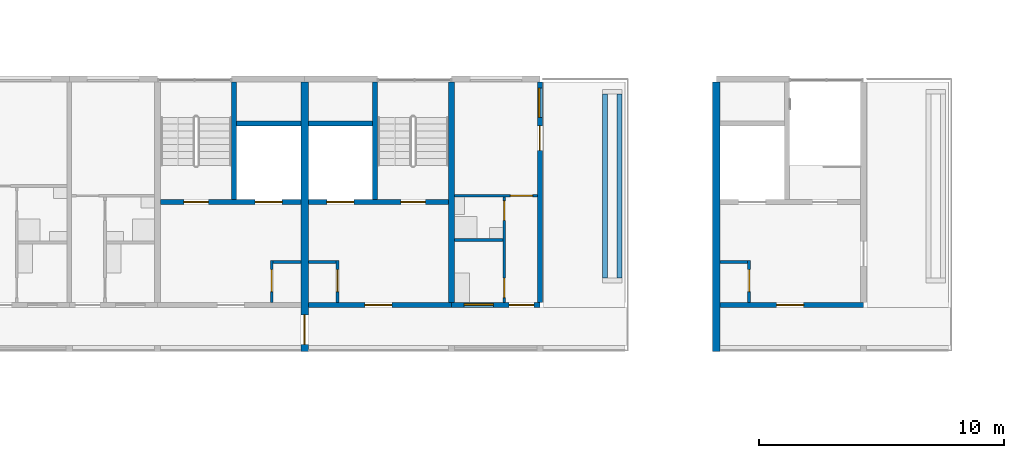
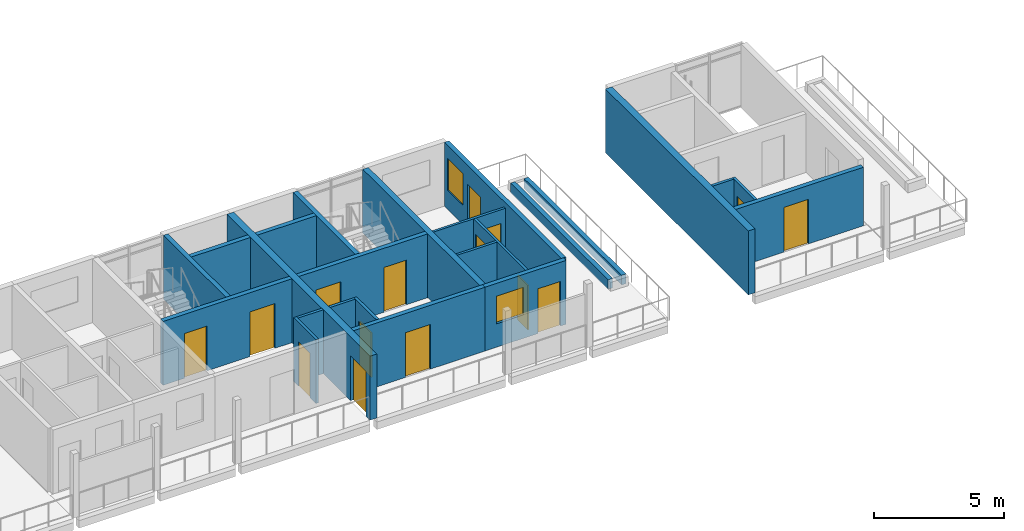
# One storey, part 43 of 94: 24 walls, 15 doors, 2 windows, 17 openings.
"""IFC4 building model written with IfcOpenShell, lengths in metres."""

from ifc_helpers import new_model, si_unit, direction, frame, frame_2d, origin, place, context, subcontext, project, spatial, rectangle, extrude, material, layer, layer_set, type_object, element, fill, save


model = new_model("IFC4")

# Units and contexts
model_context = context("Model", 3, precision=1e-05, world=origin(), true_north=direction((0.0, 1.0)))
body_context = subcontext(model_context, "Body", "Model", "MODEL_VIEW")
ifc_project = project(units=[si_unit("LENGTHUNIT", "METRE"), si_unit("AREAUNIT", "SQUARE_METRE"), si_unit("VOLUMEUNIT", "CUBIC_METRE"), si_unit("PLANEANGLEUNIT", "RADIAN"), si_unit("MASSUNIT", "GRAM", prefix="KILO")], contexts=[model_context])

# Site, building, storey
site_placement = place(None, origin())
site = spatial("IfcSite", under=ifc_project, at=site_placement, CompositionType="ELEMENT")
building_placement = place(site_placement, origin())
building = spatial("IfcBuilding", under=site, at=building_placement, Name="Ridgestep Commons", CompositionType="ELEMENT")
storey_placement = place(building_placement, frame((0.0, 0.0, 24.0)))
storey = spatial("IfcBuildingStorey", under=building, at=storey_placement, Name="L08", CompositionType="ELEMENT", Elevation=24.0)

# Wall
ifc_material_1 = material(Name="Concrete C30/37", Category="concrete")
ifc_layer_1 = layer(ifc_material_1, 0.25)
ifc_layer_set_1 = layer_set([ifc_layer_1], Name="Core cross wall 250")
wall_type_1 = type_object("IfcWallType", Name="Core cross wall 250", PredefinedType="SHEAR", material=ifc_layer_set_1)
wall_1_placement = place(storey_placement, frame((85.199951171875, 68.0, 0.0), z_axis=(0.0, 0.0, 1.0), x_axis=(0.0, 1.0, 0.0)))
element("IfcWall", 1, at=wall_1_placement, inside=storey, type_object=wall_type_1, Name="Cross wall B-08-0852", PredefinedType="SHEAR", context=body_context, shape_type="SweptSolid", body=[
    extrude(rectangle(XDim=9.0, YDim=0.25, at=frame_2d((4.5, 0.0))), origin(), (0.0, 0.0, 1.0), 3.0),
])

# Wall, opening, door
ifc_material_2 = material(Name="Concrete C30/37", Category="concrete")
ifc_layer_2 = layer(ifc_material_2, 0.199951171875)
ifc_layer_set_2 = layer_set([ifc_layer_2], Name="Core south wall 200")
wall_type_2 = type_object("IfcWallType", Name="Core south wall 200", PredefinedType="SHEAR", material=ifc_layer_set_2)
wall_2_placement = place(storey_placement, frame((79.35009765625, 67.89990234375, 0.0), z_axis=(0.0, 0.0, 1.0), x_axis=(1.0, 0.0, 0.0)))
wall_2 = element("IfcWall", 2, at=wall_2_placement, inside=storey, type_object=wall_type_2, Name="Core south wall B5C L08", PredefinedType="SHEAR", context=body_context, shape_type="SweptSolid", body=[
    extrude(rectangle(XDim=5.849853515625, YDim=0.199951171875, at=frame_2d((2.9248046875, 0.0))), origin(), (0.0, 0.0, 1.0), 3.0),
])
opening_1_placement = place(wall_2_placement, frame((2.3125, 0.0, 0.0)))
opening_1 = element("IfcOpeningElement", 3, at=opening_1_placement, cuts=wall_2, Name="Opening B5C/08/1", PredefinedType="OPENING", context=body_context, shape_type="SweptSolid", body=[
    extrude(rectangle(XDim=1.10009765625, YDim=2.10009765625, at=frame_2d((0.550048828125, 1.050048828125))), frame((0.0, 0.10986328125, 0.0), z_axis=(0.0, -1.0, 0.0), x_axis=(1.0, 0.0, 0.0)), (0.0, 0.0, 1.0), 0.219970703125),
])
ifc_material_3 = material(Name="Steel fire door", Category="steel")
door_type_1 = type_object("IfcDoorType", Name="Lobby door 1100 x 2100 FD60", OperationType="NOTDEFINED", PredefinedType="DOOR", material=ifc_material_3)
door_1_placement = place(opening_1_placement, origin())
door_1 = element("IfcDoor", 4, at=door_1_placement, inside=storey, type_object=door_type_1, Name="Lobby door B5C/08/1", OperationType="SINGLE_SWING_LEFT", OverallHeight=2.10009765625, OverallWidth=1.10009765625, PredefinedType="DOOR", context=body_context, shape_type="SweptSolid", body=[
    extrude(rectangle(XDim=1.10009765625, YDim=2.10009765625, at=frame_2d((0.550048828125, 1.050048828125))), frame((0.0, 0.02490234375, 0.0), z_axis=(0.0, -1.0, 0.0), x_axis=(1.0, 0.0, 0.0)), (0.0, 0.0, 1.0), 0.050048828125),
])
fill(opening_1, door_1)

wall_3_placement = place(storey_placement, frame((96.14990234375, 67.89990234375, 0.0), z_axis=(0.0, 0.0, 1.0), x_axis=(1.0, 0.0, 0.0)))
wall_3 = element("IfcWall", 5, at=wall_3_placement, inside=storey, type_object=wall_type_2, Name="Core south wall B6C L08", PredefinedType="SHEAR", context=body_context, shape_type="SweptSolid", body=[
    extrude(rectangle(XDim=5.85009765625, YDim=0.199951171875, at=frame_2d((2.925048828125, 0.0))), origin(), (0.0, 0.0, 1.0), 2.75),
])
opening_2_placement = place(wall_3_placement, frame((2.3125, 0.0, 0.0)))
opening_2 = element("IfcOpeningElement", 6, at=opening_2_placement, cuts=wall_3, Name="Opening B6C/08/1", PredefinedType="OPENING", context=body_context, shape_type="SweptSolid", body=[
    extrude(rectangle(XDim=1.10009765625, YDim=2.10009765625, at=frame_2d((0.550048828125, 1.050048828125))), frame((0.0, 0.10986328125, 0.0), z_axis=(0.0, -1.0, 0.0), x_axis=(1.0, 0.0, 0.0)), (0.0, 0.0, 1.0), 0.219970703125),
])
door_2_placement = place(opening_2_placement, origin())
door_2 = element("IfcDoor", 7, at=door_2_placement, inside=storey, type_object=door_type_1, Name="Lobby door B6C/08/1", OperationType="SINGLE_SWING_LEFT", OverallHeight=2.10009765625, OverallWidth=1.10009765625, PredefinedType="DOOR", context=body_context, shape_type="SweptSolid", body=[
    extrude(rectangle(XDim=1.10009765625, YDim=2.10009765625, at=frame_2d((0.550048828125, 1.050048828125))), frame((0.0, 0.02490234375, 0.0), z_axis=(0.0, -1.0, 0.0), x_axis=(1.0, 0.0, 0.0)), (0.0, 0.0, 1.0), 0.050048828125),
])
fill(opening_2, door_2)

ifc_material_4 = material(Name="Concrete C30/37", Category="concrete")
ifc_layer_3 = layer(ifc_material_4, 0.1201171875)
ifc_layer_set_3 = layer_set([ifc_layer_3], Name="Core wall 120")
wall_type_3 = type_object("IfcWallType", Name="Core wall 120", PredefinedType="SHEAR", material=ifc_layer_set_3)
wall_4_placement = place(storey_placement, frame((77.860107421875, 68.0, 0.0), z_axis=(0.0, 0.0, 1.0), x_axis=(0.0, 1.0, 0.0)))
wall_4 = element("IfcWall", 8, at=wall_4_placement, inside=storey, type_object=wall_type_3, Name="Core riser w wall B4C L08", PredefinedType="SHEAR", context=body_context, shape_type="SweptSolid", body=[
    extrude(rectangle(XDim=1.719970703125, YDim=0.1201171875, at=frame_2d((0.85986328125, 0.0))), origin(), (0.0, 0.0, 1.0), 3.0),
])
opening_3_placement = place(wall_4_placement, frame((0.449951171875, 0.0, 0.0)))
opening_3 = element("IfcOpeningElement", 9, at=opening_3_placement, cuts=wall_4, Name="Opening B4C/08/4", PredefinedType="OPENING", context=body_context, shape_type="SweptSolid", body=[
    extrude(rectangle(XDim=0.89990234375, YDim=2.10009765625, at=frame_2d((0.449951171875, 1.050048828125))), frame((0.0, 0.070068359375, 0.0), z_axis=(0.0, -1.0, 0.0), x_axis=(1.0, 0.0, 0.0)), (0.0, 0.0, 1.0), 0.14013671875),
])
ifc_material_5 = material(Name="Steel fire door", Category="steel")
door_type_2 = type_object("IfcDoorType", Name="Riser door 900 x 2100 FD60", OperationType="NOTDEFINED", PredefinedType="DOOR", material=ifc_material_5)
door_3_placement = place(opening_3_placement, origin())
door_3 = element("IfcDoor", 10, at=door_3_placement, inside=storey, type_object=door_type_2, Name="Riser door B4C/08/4", OperationType="SINGLE_SWING_LEFT", OverallHeight=2.10009765625, OverallWidth=0.89990234375, PredefinedType="DOOR", context=body_context, shape_type="SweptSolid", body=[
    extrude(rectangle(XDim=0.89990234375, YDim=2.10009765625, at=frame_2d((0.449951171875, 1.050048828125))), frame((0.0, 0.02490234375, 0.0), z_axis=(0.0, -1.0, 0.0), x_axis=(1.0, 0.0, 0.0)), (0.0, 0.0, 1.0), 0.050048828125),
])
fill(opening_3, door_3)

# Wall
wall_5_placement = place(storey_placement, frame((77.919921875, 69.659912109375, 0.0), z_axis=(0.0, 0.0, 1.0), x_axis=(1.0, 0.0, 0.0)))
element("IfcWall", 11, at=wall_5_placement, inside=storey, type_object=wall_type_3, Name="Core riser n wall B4C L08", PredefinedType="SHEAR", context=body_context, shape_type="SweptSolid", body=[
    extrude(rectangle(XDim=1.130126953125, YDim=0.1201171875, at=frame_2d((0.56494140625, 0.0))), origin(), (0.0, 0.0, 1.0), 3.0),
])

# Wall, opening, door
wall_6_placement = place(storey_placement, frame((80.5400390625, 68.0, 0.0), z_axis=(0.0, 0.0, 1.0), x_axis=(0.0, 1.0, 0.0)))
wall_6 = element("IfcWall", 12, at=wall_6_placement, inside=storey, type_object=wall_type_3, Name="Core riser w wall B5C L08", PredefinedType="SHEAR", context=body_context, shape_type="SweptSolid", body=[
    extrude(rectangle(XDim=1.719970703125, YDim=0.1201171875, at=frame_2d((0.85986328125, 0.0))), origin(), (0.0, 0.0, 1.0), 3.0),
])
opening_4_placement = place(wall_6_placement, frame((0.449951171875, 0.0, 0.0)))
opening_4 = element("IfcOpeningElement", 13, at=opening_4_placement, cuts=wall_6, Name="Opening B5C/08/4", PredefinedType="OPENING", context=body_context, shape_type="SweptSolid", body=[
    extrude(rectangle(XDim=0.89990234375, YDim=2.10009765625, at=frame_2d((0.449951171875, 1.050048828125))), frame((0.0, 0.070068359375, 0.0), z_axis=(0.0, -1.0, 0.0), x_axis=(1.0, 0.0, 0.0)), (0.0, 0.0, 1.0), 0.14013671875),
])
door_4_placement = place(opening_4_placement, origin())
door_4 = element("IfcDoor", 14, at=door_4_placement, inside=storey, type_object=door_type_2, Name="Riser door B5C/08/4", OperationType="SINGLE_SWING_RIGHT", OverallHeight=2.10009765625, OverallWidth=0.89990234375, PredefinedType="DOOR", context=body_context, shape_type="SweptSolid", body=[
    extrude(rectangle(XDim=0.89990234375, YDim=2.10009765625, at=frame_2d((0.449951171875, 1.050048828125))), frame((0.0, 0.02490234375, 0.0), z_axis=(0.0, -1.0, 0.0), x_axis=(1.0, 0.0, 0.0)), (0.0, 0.0, 1.0), 0.050048828125),
])
fill(opening_4, door_4)

# Wall
wall_7_placement = place(storey_placement, frame((79.35009765625, 69.659912109375, 0.0), z_axis=(0.0, 0.0, 1.0), x_axis=(1.0, 0.0, 0.0)))
element("IfcWall", 15, at=wall_7_placement, inside=storey, type_object=wall_type_3, Name="Core riser n wall B5C L08", PredefinedType="SHEAR", context=body_context, shape_type="SweptSolid", body=[
    extrude(rectangle(XDim=1.1298828125, YDim=0.1201171875, at=frame_2d((0.56494140625, 0.0))), origin(), (0.0, 0.0, 1.0), 3.0),
])

# Wall, opening, door
wall_8_placement = place(storey_placement, frame((97.340087890625, 68.0, 0.0), z_axis=(0.0, 0.0, 1.0), x_axis=(0.0, 1.0, 0.0)))
wall_8 = element("IfcWall", 16, at=wall_8_placement, inside=storey, type_object=wall_type_3, Name="Core riser w wall B6C L08", PredefinedType="SHEAR", context=body_context, shape_type="SweptSolid", body=[
    extrude(rectangle(XDim=1.719970703125, YDim=0.1201171875, at=frame_2d((0.85986328125, 0.0))), origin(), (0.0, 0.0, 1.0), 2.75),
])
opening_5_placement = place(wall_8_placement, frame((0.449951171875, 0.0, 0.0)))
opening_5 = element("IfcOpeningElement", 17, at=opening_5_placement, cuts=wall_8, Name="Opening B6C/08/4", PredefinedType="OPENING", context=body_context, shape_type="SweptSolid", body=[
    extrude(rectangle(XDim=0.89990234375, YDim=2.10009765625, at=frame_2d((0.449951171875, 1.050048828125))), frame((0.0, 0.070068359375, 0.0), z_axis=(0.0, -1.0, 0.0), x_axis=(1.0, 0.0, 0.0)), (0.0, 0.0, 1.0), 0.14013671875),
])
door_5_placement = place(opening_5_placement, origin())
door_5 = element("IfcDoor", 18, at=door_5_placement, inside=storey, type_object=door_type_2, Name="Riser door B6C/08/4", OperationType="SINGLE_SWING_RIGHT", OverallHeight=2.10009765625, OverallWidth=0.89990234375, PredefinedType="DOOR", context=body_context, shape_type="SweptSolid", body=[
    extrude(rectangle(XDim=0.89990234375, YDim=2.10009765625, at=frame_2d((0.449951171875, 1.050048828125))), frame((0.0, 0.02490234375, 0.0), z_axis=(0.0, -1.0, 0.0), x_axis=(1.0, 0.0, 0.0)), (0.0, 0.0, 1.0), 0.050048828125),
])
fill(opening_5, door_5)

# Wall
wall_9_placement = place(storey_placement, frame((96.14990234375, 69.659912109375, 0.0), z_axis=(0.0, 0.0, 1.0), x_axis=(1.0, 0.0, 0.0)))
element("IfcWall", 19, at=wall_9_placement, inside=storey, type_object=wall_type_3, Name="Core riser n wall B6C L08", PredefinedType="SHEAR", context=body_context, shape_type="SweptSolid", body=[
    extrude(rectangle(XDim=1.130126953125, YDim=0.1201171875, at=frame_2d((0.56494140625, 0.0))), origin(), (0.0, 0.0, 1.0), 2.75),
])

# Wall, openings, doors
ifc_material_6 = material(Name="Concrete C30/37", Category="concrete")
ifc_layer_4 = layer(ifc_material_6, 0.199951171875)
ifc_layer_set_4 = layer_set([ifc_layer_4], Name="Core wall 200")
wall_type_4 = type_object("IfcWallType", Name="Core wall 200", PredefinedType="SHEAR", material=ifc_layer_set_4)
wall_10_placement = place(storey_placement, frame((73.324951171875, 72.10009765625, 0.0), z_axis=(0.0, 0.0, 1.0), x_axis=(1.0, 0.0, 0.0)))
wall_10 = element("IfcWall", 20, at=wall_10_placement, inside=storey, type_object=wall_type_4, Name="Core lobby wall B4C L08", PredefinedType="SHEAR", context=body_context, shape_type="SweptSolid", body=[
    extrude(rectangle(XDim=5.72509765625, YDim=0.199951171875, at=frame_2d((2.862548828125, 0.0))), origin(), (0.0, 0.0, 1.0), 3.0),
])
opening_6_placement = place(wall_10_placement, frame((0.949951171875, 0.0, 0.0)))
opening_6 = element("IfcOpeningElement", 21, at=opening_6_placement, cuts=wall_10, Name="Opening B4C/08/2", PredefinedType="OPENING", context=body_context, shape_type="SweptSolid", body=[
    extrude(rectangle(XDim=1.0, YDim=2.10009765625, at=frame_2d((0.5, 1.050048828125))), frame((0.0, 0.10986328125, 0.0), z_axis=(0.0, -1.0, 0.0), x_axis=(1.0, 0.0, 0.0)), (0.0, 0.0, 1.0), 0.219970703125),
])
opening_7_placement = place(wall_10_placement, frame((3.862548828125, 0.0, 0.0)))
opening_7 = element("IfcOpeningElement", 22, at=opening_7_placement, cuts=wall_10, Name="Opening B4C/08/3", PredefinedType="OPENING", context=body_context, shape_type="SweptSolid", body=[
    extrude(rectangle(XDim=1.10009765625, YDim=2.10009765625, at=frame_2d((0.550048828125, 1.050048828125))), frame((0.0, 0.10986328125, 0.0), z_axis=(0.0, -1.0, 0.0), x_axis=(1.0, 0.0, 0.0)), (0.0, 0.0, 1.0), 0.219970703125),
])
ifc_material_7 = material(Name="Stainless steel", Category="steel")
door_type_3 = type_object("IfcDoorType", Name="Lift landing door 1100 x 2100 FD60", OperationType="DOUBLE_DOOR_SLIDING", PredefinedType="DOOR", material=ifc_material_7)
door_6_placement = place(opening_7_placement, origin())
door_6 = element("IfcDoor", 23, at=door_6_placement, inside=storey, type_object=door_type_3, Name="Landing door LD B4C L08", OperationType="DOUBLE_DOOR_SLIDING", OverallHeight=2.10009765625, OverallWidth=1.10009765625, PredefinedType="DOOR", context=body_context, shape_type="SweptSolid", body=[
    extrude(rectangle(XDim=1.10009765625, YDim=2.10009765625, at=frame_2d((0.550048828125, 1.050048828125))), frame((0.0, 0.02490234375, 0.0), z_axis=(0.0, -1.0, 0.0), x_axis=(1.0, 0.0, 0.0)), (0.0, 0.0, 1.0), 0.050048828125),
])
fill(opening_7, door_6)
ifc_material_8 = material(Name="Steel fire door", Category="steel")
door_type_4 = type_object("IfcDoorType", Name="Stair door 1000 x 2100 FD60", OperationType="NOTDEFINED", PredefinedType="DOOR", material=ifc_material_8)
door_7_placement = place(opening_6_placement, origin())
door_7 = element("IfcDoor", 24, at=door_7_placement, inside=storey, type_object=door_type_4, Name="Stair door B4C/08/2", OperationType="SINGLE_SWING_RIGHT", OverallHeight=2.10009765625, OverallWidth=1.0, PredefinedType="DOOR", context=body_context, shape_type="SweptSolid", body=[
    extrude(rectangle(XDim=1.0, YDim=2.10009765625, at=frame_2d((0.5, 1.050048828125))), frame((0.0, 0.02490234375, 0.0), z_axis=(0.0, -1.0, 0.0), x_axis=(1.0, 0.0, 0.0)), (0.0, 0.0, 1.0), 0.050048828125),
])
fill(opening_6, door_7)

# Walls
wall_11_placement = place(storey_placement, frame((76.324951171875, 72.199951171875, 0.0), z_axis=(0.0, 0.0, 1.0), x_axis=(0.0, 1.0, 0.0)))
element("IfcWall", 25, at=wall_11_placement, inside=storey, type_object=wall_type_4, Name="Core stair wall B4C L08", PredefinedType="SHEAR", context=body_context, shape_type="SweptSolid", body=[
    extrude(rectangle(XDim=4.800048828125, YDim=0.199951171875, at=frame_2d((2.39990234375, 0.0))), origin(), (0.0, 0.0, 1.0), 3.0),
])
wall_12_placement = place(storey_placement, frame((76.425048828125, 75.300048828125, 0.0), z_axis=(0.0, 0.0, 1.0), x_axis=(1.0, 0.0, 0.0)))
element("IfcWall", 26, at=wall_12_placement, inside=storey, type_object=wall_type_4, Name="Core duct wall B4C L08", PredefinedType="SHEAR", context=body_context, shape_type="SweptSolid", body=[
    extrude(rectangle(XDim=2.625, YDim=0.199951171875, at=frame_2d((1.3125, 0.0))), origin(), (0.0, 0.0, 1.0), 3.0),
])

# Wall, openings, doors
wall_13_placement = place(storey_placement, frame((79.35009765625, 72.10009765625, 0.0), z_axis=(0.0, 0.0, 1.0), x_axis=(1.0, 0.0, 0.0)))
wall_13 = element("IfcWall", 27, at=wall_13_placement, inside=storey, type_object=wall_type_4, Name="Core lobby wall B5C L08", PredefinedType="SHEAR", context=body_context, shape_type="SweptSolid", body=[
    extrude(rectangle(XDim=5.724853515625, YDim=0.199951171875, at=frame_2d((2.8623046875, 0.0))), origin(), (0.0, 0.0, 1.0), 3.0),
])
opening_8_placement = place(wall_13_placement, frame((3.77490234375, 0.0, 0.0)))
opening_8 = element("IfcOpeningElement", 28, at=opening_8_placement, cuts=wall_13, Name="Opening B5C/08/2", PredefinedType="OPENING", context=body_context, shape_type="SweptSolid", body=[
    extrude(rectangle(XDim=1.0, YDim=2.10009765625, at=frame_2d((0.5, 1.050048828125))), frame((0.0, 0.10986328125, 0.0), z_axis=(0.0, -1.0, 0.0), x_axis=(1.0, 0.0, 0.0)), (0.0, 0.0, 1.0), 0.219970703125),
])
opening_9_placement = place(wall_13_placement, frame((0.762451171875, 0.0, 0.0)))
opening_9 = element("IfcOpeningElement", 29, at=opening_9_placement, cuts=wall_13, Name="Opening B5C/08/3", PredefinedType="OPENING", context=body_context, shape_type="SweptSolid", body=[
    extrude(rectangle(XDim=1.10009765625, YDim=2.10009765625, at=frame_2d((0.550048828125, 1.050048828125))), frame((0.0, 0.10986328125, 0.0), z_axis=(0.0, -1.0, 0.0), x_axis=(1.0, 0.0, 0.0)), (0.0, 0.0, 1.0), 0.219970703125),
])
door_8_placement = place(opening_9_placement, origin())
door_8 = element("IfcDoor", 30, at=door_8_placement, inside=storey, type_object=door_type_3, Name="Landing door LD B5C L08", OperationType="DOUBLE_DOOR_SLIDING", OverallHeight=2.10009765625, OverallWidth=1.10009765625, PredefinedType="DOOR", context=body_context, shape_type="SweptSolid", body=[
    extrude(rectangle(XDim=1.10009765625, YDim=2.10009765625, at=frame_2d((0.550048828125, 1.050048828125))), frame((0.0, 0.02490234375, 0.0), z_axis=(0.0, -1.0, 0.0), x_axis=(1.0, 0.0, 0.0)), (0.0, 0.0, 1.0), 0.050048828125),
])
fill(opening_9, door_8)
door_9_placement = place(opening_8_placement, origin())
door_9 = element("IfcDoor", 31, at=door_9_placement, inside=storey, type_object=door_type_4, Name="Stair door B5C/08/2", OperationType="SINGLE_SWING_RIGHT", OverallHeight=2.10009765625, OverallWidth=1.0, PredefinedType="DOOR", context=body_context, shape_type="SweptSolid", body=[
    extrude(rectangle(XDim=1.0, YDim=2.10009765625, at=frame_2d((0.5, 1.050048828125))), frame((0.0, 0.02490234375, 0.0), z_axis=(0.0, -1.0, 0.0), x_axis=(1.0, 0.0, 0.0)), (0.0, 0.0, 1.0), 0.050048828125),
])
fill(opening_8, door_9)

# Walls
wall_14_placement = place(storey_placement, frame((82.074951171875, 72.199951171875, 0.0), z_axis=(0.0, 0.0, 1.0), x_axis=(0.0, 1.0, 0.0)))
element("IfcWall", 32, at=wall_14_placement, inside=storey, type_object=wall_type_4, Name="Core stair wall B5C L08", PredefinedType="SHEAR", context=body_context, shape_type="SweptSolid", body=[
    extrude(rectangle(XDim=4.800048828125, YDim=0.199951171875, at=frame_2d((2.39990234375, 0.0))), origin(), (0.0, 0.0, 1.0), 3.0),
])
wall_15_placement = place(storey_placement, frame((79.35009765625, 75.300048828125, 0.0), z_axis=(0.0, 0.0, 1.0), x_axis=(1.0, 0.0, 0.0)))
element("IfcWall", 33, at=wall_15_placement, inside=storey, type_object=wall_type_4, Name="Core duct wall B5C L08", PredefinedType="SHEAR", context=body_context, shape_type="SweptSolid", body=[
    extrude(rectangle(XDim=2.625, YDim=0.199951171875, at=frame_2d((1.3125, 0.0))), origin(), (0.0, 0.0, 1.0), 3.0),
])

# Wall, opening, door
ifc_material_9 = material(Name="Precast concrete C40/50", Category="concrete")
ifc_layer_5 = layer(ifc_material_9, 0.300048828125)
ifc_layer_set_5 = layer_set([ifc_layer_5], Name="Division wall 300")
wall_type_5 = type_object("IfcWallType", Name="Division wall 300", PredefinedType="SHEAR", material=ifc_layer_set_5)
wall_16_placement = place(storey_placement, frame((79.199951171875, 66.0, 0.0), z_axis=(0.0, 0.0, 1.0), x_axis=(0.0, 1.0, 0.0)))
wall_16 = element("IfcWall", 34, at=wall_16_placement, inside=storey, type_object=wall_type_5, Name="Cross wall B-08-0792", PredefinedType="SHEAR", context=body_context, shape_type="SweptSolid", body=[
    extrude(rectangle(XDim=11.0, YDim=0.300048828125, at=frame_2d((5.5, 0.0))), origin(), (0.0, 0.0, 1.0), 3.0),
])
opening_10_placement = place(wall_16_placement, frame((0.300048828125, 0.0, 0.0)))
opening_10 = element("IfcOpeningElement", 35, at=opening_10_placement, cuts=wall_16, Name="Opening B/08/G0792", PredefinedType="OPENING", context=body_context, shape_type="SweptSolid", body=[
    extrude(rectangle(XDim=1.199951171875, YDim=2.10009765625, at=frame_2d((0.60009765625, 1.050048828125))), frame((0.0, 0.159912109375, 0.0), z_axis=(0.0, -1.0, 0.0), x_axis=(1.0, 0.0, 0.0)), (0.0, 0.0, 1.0), 0.320068359375),
])
ifc_material_10 = material(Name="Steel fire door", Category="steel")
door_type_5 = type_object("IfcDoorType", Name="Division fire door 1200 x 2100 EI 240", OperationType="DOUBLE_DOOR_SINGLE_SWING", PredefinedType="DOOR", material=ifc_material_10)
door_10_placement = place(opening_10_placement, origin())
door_10 = element("IfcDoor", 36, at=door_10_placement, inside=storey, type_object=door_type_5, Name="Division fire door B/08/G0792", OperationType="DOUBLE_DOOR_SINGLE_SWING", OverallHeight=2.10009765625, OverallWidth=1.199951171875, PredefinedType="DOOR", context=body_context, shape_type="SweptSolid", body=[
    extrude(rectangle(XDim=1.199951171875, YDim=2.10009765625, at=frame_2d((0.60009765625, 1.050048828125))), frame((0.0, 0.02490234375, 0.0), z_axis=(0.0, -1.0, 0.0), x_axis=(1.0, 0.0, 0.0)), (0.0, 0.0, 1.0), 0.050048828125),
])
fill(opening_10, door_10)

# Wall, openings, window, door
ifc_material_11 = material(Name="Precast concrete C40/50", Category="concrete")
ifc_layer_6 = layer(ifc_material_11, 0.199951171875)
ifc_layer_set_6 = layer_set([ifc_layer_6], Name="Exposed cross wall 200")
wall_type_6 = type_object("IfcWallType", Name="Exposed cross wall 200", PredefinedType="SHEAR", material=ifc_layer_set_6)
wall_17_placement = place(storey_placement, frame((88.800048828125, 68.0, 0.0), z_axis=(0.0, 0.0, 1.0), x_axis=(0.0, 1.0, 0.0)))
wall_17 = element("IfcWall", 37, at=wall_17_placement, inside=storey, type_object=wall_type_6, Name="Cross wall B-08-0888", PredefinedType="SHEAR", context=body_context, shape_type="SweptSolid", body=[
    extrude(rectangle(XDim=9.0, YDim=0.199951171875, at=frame_2d((4.5, 0.0))), origin(), (0.0, 0.0, 1.0), 3.0),
])
opening_11_placement = place(wall_17_placement, frame((7.552490234375, 0.0, 0.89990234375)))
opening_11 = element("IfcOpeningElement", 38, at=opening_11_placement, cuts=wall_17, Name="Opening W10", PredefinedType="OPENING", context=body_context, shape_type="SweptSolid", body=[
    extrude(rectangle(XDim=1.199951171875, YDim=1.5, at=frame_2d((0.60009765625, 0.75))), frame((0.0, 0.10986328125, 0.0), z_axis=(0.0, -1.0, 0.0), x_axis=(1.0, 0.0, 0.0)), (0.0, 0.0, 1.0), 0.219970703125),
])
opening_12_placement = place(wall_17_placement, frame((6.205078125, 0.0, 0.0)))
opening_12 = element("IfcOpeningElement", 39, at=opening_12_placement, cuts=wall_17, Name="Opening B5-08a/5", PredefinedType="OPENING", context=body_context, shape_type="SweptSolid", body=[
    extrude(rectangle(XDim=1.0, YDim=2.10009765625, at=frame_2d((0.5, 1.050048828125))), frame((0.0, 0.10986328125, 0.0), z_axis=(0.0, -1.0, 0.0), x_axis=(1.0, 0.0, 0.0)), (0.0, 0.0, 1.0), 0.219970703125),
])
ifc_material_12 = material(Name="Aluminium 6063-T6 and glass", Category="aluminium")
window_type_1 = type_object("IfcWindowType", Name="Flat window 1200 x 1500", PartitioningType="SINGLE_PANEL", PredefinedType="WINDOW", material=ifc_material_12)
window_1_placement = place(opening_11_placement, origin())
window_1 = element("IfcWindow", 40, at=window_1_placement, inside=storey, type_object=window_type_1, Name="Window B5-08a 3", OverallHeight=1.5, OverallWidth=1.199951171875, PartitioningType="SINGLE_PANEL", PredefinedType="WINDOW", context=body_context, shape_type="SweptSolid", body=[
    extrude(rectangle(XDim=1.199951171875, YDim=1.5, at=frame_2d((0.60009765625, 0.75))), frame((0.0, 0.06005859375, 0.0), z_axis=(0.0, -1.0, 0.0), x_axis=(1.0, 0.0, 0.0)), (0.0, 0.0, 1.0), 0.06005859375),
])
fill(opening_11, window_1)
ifc_material_13 = material(Name="Aluminium and glass", Category="aluminium")
door_type_6 = type_object("IfcDoorType", Name="Terrace door 1000 x 2100", OperationType="NOTDEFINED", PredefinedType="DOOR", material=ifc_material_13)
door_11_placement = place(opening_12_placement, origin())
door_11 = element("IfcDoor", 41, at=door_11_placement, inside=storey, type_object=door_type_6, Name="Terrace door B5-08a/5", OperationType="SINGLE_SWING_LEFT", OverallHeight=2.10009765625, OverallWidth=1.0, PredefinedType="DOOR", context=body_context, shape_type="SweptSolid", body=[
    extrude(rectangle(XDim=1.0, YDim=2.10009765625, at=frame_2d((0.5, 1.050048828125))), frame((0.0, 0.02490234375, 0.0), z_axis=(0.0, -1.0, 0.0), x_axis=(1.0, 0.0, 0.0)), (0.0, 0.0, 1.0), 0.050048828125),
])
fill(opening_12, door_11)

# Walls
ifc_material_14 = material(Name="Precast concrete C40/50", Category="concrete")
ifc_layer_7 = layer(ifc_material_14, 0.300048828125)
ifc_layer_set_7 = layer_set([ifc_layer_7], Name="Exposed division wall 300")
wall_type_7 = type_object("IfcWallType", Name="Exposed division wall 300", PredefinedType="SHEAR", material=ifc_layer_set_7)
wall_18_placement = place(storey_placement, frame((96.0, 66.0, 0.0), z_axis=(0.0, 0.0, 1.0), x_axis=(0.0, 1.0, 0.0)))
element("IfcWall", 42, at=wall_18_placement, inside=storey, type_object=wall_type_7, Name="Cross wall B-08-0960", PredefinedType="SHEAR", context=body_context, shape_type="SweptSolid", body=[
    extrude(rectangle(XDim=11.0, YDim=0.300048828125, at=frame_2d((5.5, 0.0))), origin(), (0.0, 0.0, 1.0), 3.0),
])
ifc_material_15 = material(Name="Common brick 110 mm", Category="masonry")
ifc_layer_8 = layer(ifc_material_15, 0.110107421875)
ifc_layer_set_8 = layer_set([ifc_layer_8], Name="Partition 110")
wall_type_8 = type_object("IfcWallType", Name="Partition 110", PredefinedType="PARTITIONING", material=ifc_layer_set_8)
wall_19_placement = place(storey_placement, frame((85.324951171875, 70.554931640625, 0.0), z_axis=(0.0, 0.0, 1.0), x_axis=(1.0, 0.0, 0.0)))
element("IfcWall", 43, at=wall_19_placement, inside=storey, type_object=wall_type_8, Name="Partition B5-08a", PredefinedType="PARTITIONING", context=body_context, shape_type="SweptSolid", body=[
    extrude(rectangle(XDim=1.965087890625, YDim=0.110107421875, at=frame_2d((0.982421875, 0.0))), origin(), (0.0, 0.0, 1.0), 2.75),
])

# Wall, openings, doors
wall_20_placement = place(storey_placement, frame((87.344970703125, 68.0, 0.0), z_axis=(0.0, 0.0, 1.0), x_axis=(0.0, 1.0, 0.0)))
wall_20 = element("IfcWall", 44, at=wall_20_placement, inside=storey, type_object=wall_type_8, Name="Partition B5-08a", PredefinedType="PARTITIONING", context=body_context, shape_type="SweptSolid", body=[
    extrude(rectangle(XDim=4.300048828125, YDim=0.110107421875, at=frame_2d((2.14990234375, 0.0))), origin(), (0.0, 0.0, 1.0), 2.75),
])
opening_13_placement = place(wall_20_placement, frame((0.199951171875, 0.0, 0.0)))
opening_13 = element("IfcOpeningElement", 45, at=opening_13_placement, cuts=wall_20, Name="Opening B5-08a/2", PredefinedType="OPENING", context=body_context, shape_type="SweptSolid", body=[
    extrude(rectangle(XDim=0.800048828125, YDim=2.10009765625, at=frame_2d((0.39990234375, 1.050048828125))), frame((0.0, 0.06494140625, 0.0), z_axis=(0.0, -1.0, 0.0), x_axis=(1.0, 0.0, 0.0)), (0.0, 0.0, 1.0), 0.130126953125),
])
opening_14_placement = place(wall_20_placement, frame((3.35009765625, 0.0, 0.0)))
opening_14 = element("IfcOpeningElement", 46, at=opening_14_placement, cuts=wall_20, Name="Opening B5-08a/3", PredefinedType="OPENING", context=body_context, shape_type="SweptSolid", body=[
    extrude(rectangle(XDim=0.800048828125, YDim=2.10009765625, at=frame_2d((0.39990234375, 1.050048828125))), frame((0.0, 0.06494140625, 0.0), z_axis=(0.0, -1.0, 0.0), x_axis=(1.0, 0.0, 0.0)), (0.0, 0.0, 1.0), 0.130126953125),
])
ifc_material_16 = material(Name="Timber door leaf", Category="wood")
door_type_7 = type_object("IfcDoorType", Name="Internal door 800 x 2100", OperationType="NOTDEFINED", PredefinedType="DOOR", material=ifc_material_16)
door_12_placement = place(opening_13_placement, origin())
door_12 = element("IfcDoor", 47, at=door_12_placement, inside=storey, type_object=door_type_7, Name="Internal door B5-08a/2", OperationType="SINGLE_SWING_LEFT", OverallHeight=2.10009765625, OverallWidth=0.800048828125, PredefinedType="DOOR", context=body_context, shape_type="SweptSolid", body=[
    extrude(rectangle(XDim=0.800048828125, YDim=2.10009765625, at=frame_2d((0.39990234375, 1.050048828125))), frame((0.0, 0.02490234375, 0.0), z_axis=(0.0, -1.0, 0.0), x_axis=(1.0, 0.0, 0.0)), (0.0, 0.0, 1.0), 0.050048828125),
])
fill(opening_13, door_12)
door_13_placement = place(opening_14_placement, origin())
door_13 = element("IfcDoor", 48, at=door_13_placement, inside=storey, type_object=door_type_7, Name="Internal door B5-08a/3", OperationType="SINGLE_SWING_RIGHT", OverallHeight=2.10009765625, OverallWidth=0.800048828125, PredefinedType="DOOR", context=body_context, shape_type="SweptSolid", body=[
    extrude(rectangle(XDim=0.800048828125, YDim=2.10009765625, at=frame_2d((0.39990234375, 1.050048828125))), frame((0.0, 0.02490234375, 0.0), z_axis=(0.0, -1.0, 0.0), x_axis=(1.0, 0.0, 0.0)), (0.0, 0.0, 1.0), 0.050048828125),
])
fill(opening_14, door_13)

# Wall, opening, door
wall_21_placement = place(storey_placement, frame((85.324951171875, 72.35498046875, 0.0), z_axis=(0.0, 0.0, 1.0), x_axis=(1.0, 0.0, 0.0)))
wall_21 = element("IfcWall", 49, at=wall_21_placement, inside=storey, type_object=wall_type_8, Name="Partition B5-08a", PredefinedType="PARTITIONING", context=body_context, shape_type="SweptSolid", body=[
    extrude(rectangle(XDim=3.375, YDim=0.110107421875, at=frame_2d((1.6875, 0.0))), origin(), (0.0, 0.0, 1.0), 2.75),
])
opening_15_placement = place(wall_21_placement, frame((2.27490234375, 0.0, 0.0)))
opening_15 = element("IfcOpeningElement", 50, at=opening_15_placement, cuts=wall_21, Name="Opening B5-08a/4", PredefinedType="OPENING", context=body_context, shape_type="SweptSolid", body=[
    extrude(rectangle(XDim=0.89990234375, YDim=2.10009765625, at=frame_2d((0.449951171875, 1.050048828125))), frame((0.0, 0.06494140625, 0.0), z_axis=(0.0, -1.0, 0.0), x_axis=(1.0, 0.0, 0.0)), (0.0, 0.0, 1.0), 0.130126953125),
])
ifc_material_17 = material(Name="Timber door leaf", Category="wood")
door_type_8 = type_object("IfcDoorType", Name="Internal door 900 x 2100", OperationType="NOTDEFINED", PredefinedType="DOOR", material=ifc_material_17)
door_14_placement = place(opening_15_placement, origin())
door_14 = element("IfcDoor", 51, at=door_14_placement, inside=storey, type_object=door_type_8, Name="Internal door B5-08a/4", OperationType="SINGLE_SWING_RIGHT", OverallHeight=2.10009765625, OverallWidth=0.89990234375, PredefinedType="DOOR", context=body_context, shape_type="SweptSolid", body=[
    extrude(rectangle(XDim=0.89990234375, YDim=2.10009765625, at=frame_2d((0.449951171875, 1.050048828125))), frame((0.0, 0.02490234375, 0.0), z_axis=(0.0, -1.0, 0.0), x_axis=(1.0, 0.0, 0.0)), (0.0, 0.0, 1.0), 0.050048828125),
])
fill(opening_15, door_14)

# Walls
ifc_material_18 = material(Name="Facing brick", Category="masonry")
ifc_layer_9 = layer(ifc_material_18, 0.199951171875)
ifc_layer_set_9 = layer_set([ifc_layer_9], Name="Planter wall 200")
wall_type_9 = type_object("IfcWallType", Name="Planter wall 200", PredefinedType="SOLIDWALL", material=ifc_layer_set_9)
for number, where, z_axis, x_axis, name in (
    (52, (91.449951171875, 69.0, 0.010009765625), (0.0, 0.0, 1.0), (0.0, 1.0, 0.0), "Planter wall B5R2W"),
    (53, (92.050048828125, 69.0, 0.010009765625), (0.0, 0.0, 1.0), (0.0, 1.0, 0.0), "Planter wall B5R2E"),
):
    element("IfcWall", number, at=place(storey_placement, frame(where, z_axis=z_axis, x_axis=x_axis)), inside=storey, type_object=wall_type_9, Name=name, PredefinedType="SOLIDWALL", context=body_context, shape_type="SweptSolid", body=[
        extrude(rectangle(XDim=7.5, YDim=0.199951171875, at=frame_2d((3.75, 0.0))), origin(), (0.0, 0.0, 1.0), 0.449951171875),
    ])

# Wall, openings, door, window
ifc_material_19 = material(Name="Precast concrete C40/50", Category="concrete")
ifc_layer_10 = layer(ifc_material_19, 0.199951171875)
ifc_layer_set_10 = layer_set([ifc_layer_10], Name="South facade panel 200")
wall_type_10 = type_object("IfcWallType", Name="South facade panel 200", PredefinedType="SOLIDWALL", material=ifc_layer_set_10)
wall_22_placement = place(storey_placement, frame((85.199951171875, 67.89990234375, 0.0), z_axis=(0.0, 0.0, 1.0), x_axis=(1.0, 0.0, 0.0)))
wall_22 = element("IfcWall", 54, at=wall_22_placement, inside=storey, type_object=wall_type_10, Name="South panel B5T3 L08", PredefinedType="SOLIDWALL", context=body_context, shape_type="SweptSolid", body=[
    extrude(rectangle(XDim=3.60009765625, YDim=0.199951171875, at=frame_2d((1.800048828125, 0.0))), origin(), (0.0, 0.0, 1.0), 3.0),
])
opening_16_placement = place(wall_22_placement, frame((0.507568359375, 0.0, 1.10009765625)))
opening_16 = element("IfcOpeningElement", 55, at=opening_16_placement, cuts=wall_22, Name="Opening W08", PredefinedType="OPENING", context=body_context, shape_type="SweptSolid", body=[
    extrude(rectangle(XDim=1.199951171875, YDim=1.300048828125, at=frame_2d((0.60009765625, 0.64990234375))), frame((0.0, 0.10986328125, 0.0), z_axis=(0.0, -1.0, 0.0), x_axis=(1.0, 0.0, 0.0)), (0.0, 0.0, 1.0), 0.219970703125),
])
opening_17_placement = place(wall_22_placement, frame((2.35009765625, 0.0, 0.0)))
opening_17 = element("IfcOpeningElement", 56, at=opening_17_placement, cuts=wall_22, Name="Opening B5-08a/1", PredefinedType="OPENING", context=body_context, shape_type="SweptSolid", body=[
    extrude(rectangle(XDim=1.0, YDim=2.10009765625, at=frame_2d((0.5, 1.050048828125))), frame((0.0, 0.10986328125, 0.0), z_axis=(0.0, -1.0, 0.0), x_axis=(1.0, 0.0, 0.0)), (0.0, 0.0, 1.0), 0.219970703125),
])
ifc_material_20 = material(Name="Timber door leaf", Category="wood")
door_type_9 = type_object("IfcDoorType", Name="Flat entrance door 1000 x 2100 FD30S", OperationType="NOTDEFINED", PredefinedType="DOOR", material=ifc_material_20)
door_15_placement = place(opening_17_placement, origin())
door_15 = element("IfcDoor", 57, at=door_15_placement, inside=storey, type_object=door_type_9, Name="Flat entrance door B5-08a/1", OperationType="SINGLE_SWING_RIGHT", OverallHeight=2.10009765625, OverallWidth=1.0, PredefinedType="DOOR", context=body_context, shape_type="SweptSolid", body=[
    extrude(rectangle(XDim=1.0, YDim=2.10009765625, at=frame_2d((0.5, 1.050048828125))), frame((0.0, 0.02490234375, 0.0), z_axis=(0.0, -1.0, 0.0), x_axis=(1.0, 0.0, 0.0)), (0.0, 0.0, 1.0), 0.050048828125),
])
fill(opening_17, door_15)
ifc_material_21 = material(Name="Aluminium 6063-T6 and glass", Category="aluminium")
window_type_2 = type_object("IfcWindowType", Name="Flat window 1200 x 1300", PartitioningType="SINGLE_PANEL", PredefinedType="WINDOW", material=ifc_material_21)
window_2_placement = place(opening_16_placement, origin())
window_2 = element("IfcWindow", 58, at=window_2_placement, inside=storey, type_object=window_type_2, Name="Window B5-08a 1", OverallHeight=1.300048828125, OverallWidth=1.199951171875, PartitioningType="SINGLE_PANEL", PredefinedType="WINDOW", context=body_context, shape_type="SweptSolid", body=[
    extrude(rectangle(XDim=1.199951171875, YDim=1.300048828125, at=frame_2d((0.60009765625, 0.64990234375))), frame((0.0, 0.06005859375, 0.0), z_axis=(0.0, -1.0, 0.0), x_axis=(1.0, 0.0, 0.0)), (0.0, 0.0, 1.0), 0.06005859375),
])
fill(opening_16, window_2)

save(model, "model.ifc")
